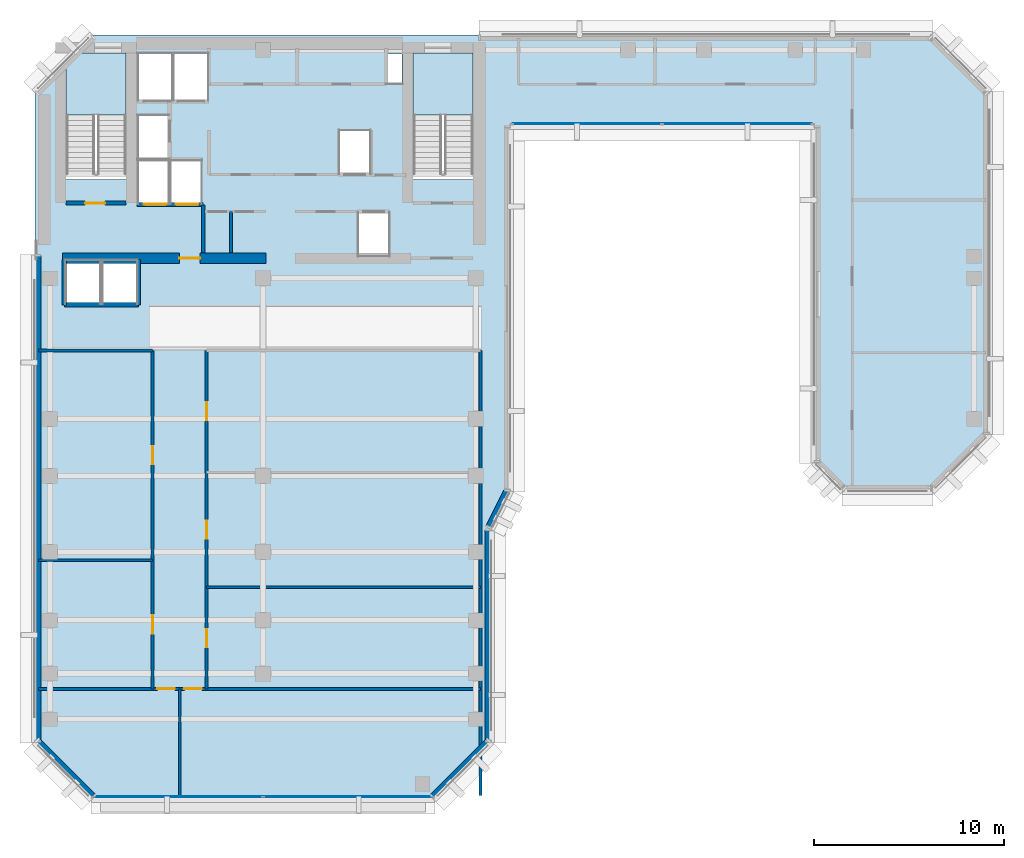
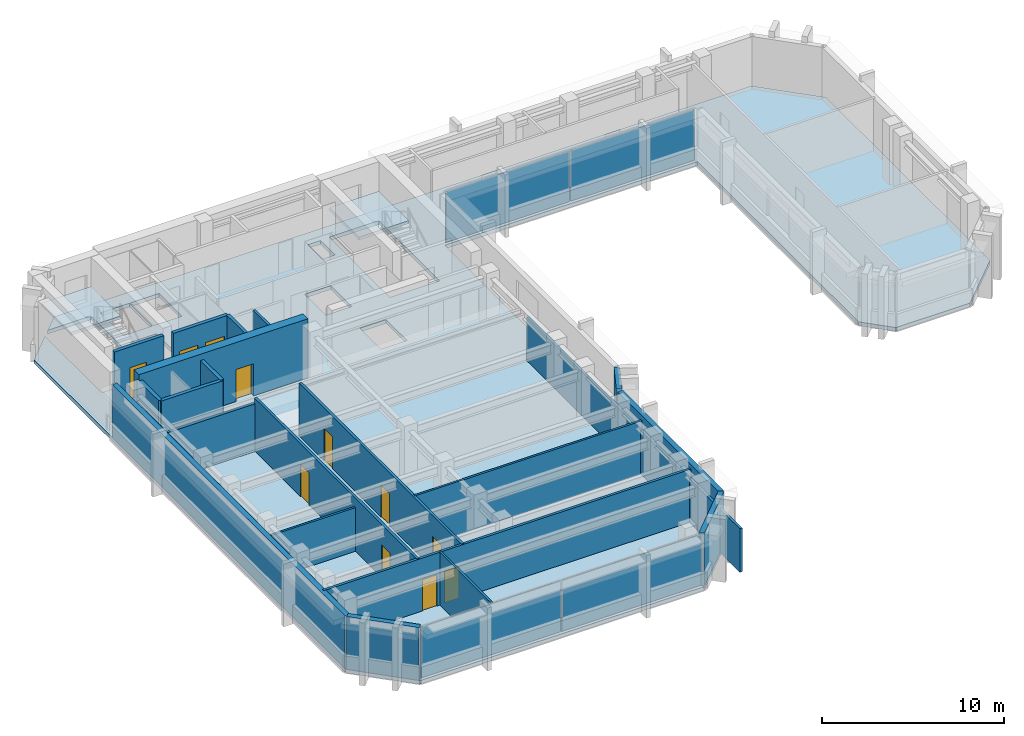
# One storey, part 5 of 11: 21 walls, 11 doors, 4 plates, 3 slabs, 11 openings, 4 elements without a shape of their own.
"""IFC4 building model written with IfcOpenShell, lengths in metres."""

from ifc_helpers import new_model, si_unit, direction, frame, frame_2d, origin, origin_2d, place, context, subcontext, project, spatial, polyline, rectangle, outline, extrude, material, layer, layer_set, type_object, element, fill, aggregate, save


model = new_model("IFC4")

# Units and contexts
model_context = context("Model", 3, precision=1e-05, world=origin(), true_north=direction((0.0, 1.0)))
body_context = subcontext(model_context, "Body", "Model", "MODEL_VIEW")
ifc_project = project(units=[si_unit("LENGTHUNIT", "METRE"), si_unit("AREAUNIT", "SQUARE_METRE"), si_unit("VOLUMEUNIT", "CUBIC_METRE"), si_unit("PLANEANGLEUNIT", "RADIAN"), si_unit("MASSUNIT", "GRAM", prefix="KILO")], contexts=[model_context])

# Site, building, storey
site_placement = place(None, origin())
site = spatial("IfcSite", under=ifc_project, at=site_placement, CompositionType="ELEMENT")
building_placement = place(site_placement, origin())
building = spatial("IfcBuilding", under=site, at=building_placement, Name="Kefirva Bronze Tower", CompositionType="ELEMENT")
storey_placement = place(building_placement, frame((0.0, 0.0, 247.5)))
storey = spatial("IfcBuildingStorey", under=building, at=storey_placement, Name="L60", CompositionType="ELEMENT", Elevation=247.5)

# Stair, slab
ifc_material_1 = material(Name="Concrete C40/50", Category="concrete")
stair_type = type_object("IfcStairType", Name="RC Dogleg Protected Stair 24R", PredefinedType="HALF_TURN_STAIR", material=ifc_material_1)
stair_1_placement = place(storey_placement, origin())
stair_1 = element("IfcStair", 1, at=stair_1_placement, inside=storey, type_object=stair_type, Name="L60 Protected Exit Stair 1", PredefinedType="HALF_TURN_STAIR")
ifc_layer_1 = layer(ifc_material_1, 0.199951171875, Name="Concrete C40/50")
ifc_layer_set_1 = layer_set([ifc_layer_1], Name="Concrete C40/50")
slab_type_1 = type_object("IfcSlabType", Name="RC Stair Landing Slab 200mm", PredefinedType="LANDING", material=ifc_layer_set_1)
slab_1_placement = place(storey_placement, frame((0.0, 0.0, 1.780029296875)))
slab_1 = element("IfcSlab", 2, at=slab_1_placement, type_object=slab_type_1, Name="ST-1 landing 1", PredefinedType="LANDING", context=body_context, shape_type="SweptSolid", body=[
    extrude(outline(polyline([(4.800048828125, 41.780029296875), (4.800048828125, 45.050048828125), (1.64990234375, 45.050048828125), (1.64990234375, 41.780029296875), (4.800048828125, 41.780029296875)])), origin(), (0.0, 0.0, 1.0), 0.199951171875),
])
aggregate(stair_1, [slab_1])

stair_2_placement = place(storey_placement, origin())
stair_2 = element("IfcStair", 3, at=stair_2_placement, inside=storey, type_object=stair_type, Name="L60 Protected Exit Stair 2", PredefinedType="HALF_TURN_STAIR")
slab_2_placement = place(storey_placement, frame((0.0, 0.0, 1.780029296875)))
slab_2 = element("IfcSlab", 4, at=slab_2_placement, type_object=slab_type_1, Name="ST-2 landing 1", PredefinedType="LANDING", context=body_context, shape_type="SweptSolid", body=[
    extrude(outline(polyline([(23.050048828125, 41.780029296875), (23.050048828125, 45.050048828125), (19.89990234375, 45.050048828125), (19.89990234375, 41.780029296875), (23.050048828125, 41.780029296875)])), origin(), (0.0, 0.0, 1.0), 0.199951171875),
])
aggregate(stair_2, [slab_2])

# Slab
ifc_layer_2 = layer(ifc_material_1, 0.25, Name="Concrete C40/50")
ifc_layer_set_2 = layer_set([ifc_layer_2], Name="Concrete C40/50")
slab_type_2 = type_object("IfcSlabType", Name="RC Tower Floor Slab 250mm", PredefinedType="FLOOR", material=ifc_layer_set_2)
slab_3_placement = place(storey_placement, frame((0.0, 0.0, -0.25)))
element("IfcSlab", 5, at=slab_3_placement, inside=storey, type_object=slab_type_2, Name="L60 Structural Floor Slab", PredefinedType="FLOOR", context=body_context, shape_type="SweptSolid", body=[
    extrude(outline(polyline([(0.0, 8.800048828125), (0.0, 43.0), (1.64990234375, 44.64990234375), (1.64990234375, 38.39990234375), (4.800048828125, 38.39990234375), (4.800048828125, 45.050048828125), (2.050048828125, 45.050048828125), (3.0, 46.0), (47.199951171875, 46.0), (50.199951171875, 43.0), (50.199951171875, 25.0), (47.199951171875, 22.0), (42.5, 22.0), (41.0, 23.5), (41.0, 41.199951171875), (25.0, 41.199951171875), (25.0, 22.0), (24.0, 20.0), (24.0, 8.800048828125), (21.0, 5.800048828125), (3.0, 5.800048828125), (0.0, 8.800048828125)]), holes=[polyline([(23.050048828125, 45.050048828125), (19.89990234375, 45.050048828125), (19.89990234375, 38.39990234375), (23.050048828125, 38.39990234375), (23.050048828125, 45.050048828125)]), polyline([(19.320068359375, 43.419921875), (19.320068359375, 45.0), (18.52001953125, 45.0), (18.52001953125, 43.419921875), (19.320068359375, 43.419921875)]), polyline([(18.64990234375, 36.64990234375), (17.0, 36.64990234375), (17.0, 34.35009765625), (18.64990234375, 34.35009765625), (18.64990234375, 36.64990234375)]), polyline([(17.64990234375, 38.679931640625), (17.64990234375, 40.97998046875), (16.0, 40.97998046875), (16.0, 38.679931640625), (17.64990234375, 38.679931640625)]), polyline([(9.1201171875, 42.550048828125), (9.1201171875, 45.050048828125), (7.300048828125, 45.050048828125), (7.300048828125, 42.550048828125), (9.1201171875, 42.550048828125)]), polyline([(8.780029296875, 37.10009765625), (8.780029296875, 39.39990234375), (7.139892578125, 39.39990234375), (7.139892578125, 37.10009765625), (8.780029296875, 37.10009765625)]), polyline([(7.239990234375, 42.550048828125), (7.239990234375, 45.050048828125), (5.419921875, 45.050048828125), (5.419921875, 42.550048828125), (7.239990234375, 42.550048828125)]), polyline([(7.06005859375, 37.10009765625), (7.06005859375, 39.39990234375), (5.419921875, 39.39990234375), (5.419921875, 37.10009765625), (7.06005859375, 37.10009765625)]), polyline([(7.06005859375, 41.780029296875), (5.419921875, 41.780029296875), (5.419921875, 39.47998046875), (7.06005859375, 39.47998046875), (7.06005859375, 41.780029296875)]), polyline([(5.39990234375, 31.85009765625), (5.39990234375, 34.14990234375), (3.550048828125, 34.14990234375), (3.550048828125, 31.85009765625), (5.39990234375, 31.85009765625)]), polyline([(3.449951171875, 34.14990234375), (1.60009765625, 34.14990234375), (1.60009765625, 31.85009765625), (3.449951171875, 31.85009765625), (3.449951171875, 34.14990234375)])]), origin(), (0.0, 0.0, 1.0), 0.25),
])

# Curtain wall, plates
ifc_material_2 = material(Name="Bronze anodised aluminium", Category="aluminium")
ifc_layer_3 = layer(ifc_material_2, 0.179931640625, Name="Bronze anodised aluminium")
ifc_layer_set_3 = layer_set([ifc_layer_3], Name="Bronze anodised aluminium")
curtain_wall_type = type_object("IfcCurtainWallType", Name="Unitised Bronze Ribbon Curtain Wall Zone 3", PredefinedType="USERDEFINED", material=ifc_layer_set_3)
curtain_wall_1_placement = place(storey_placement, origin())
curtain_wall_1 = element("IfcCurtainWall", 6, at=curtain_wall_1_placement, inside=storey, type_object=curtain_wall_type, Name="L60 Curtain Wall 1", ObjectType="UNITISED CURTAIN WALL", PredefinedType="USERDEFINED")
ifc_material_3 = material(Name="Laminated low-E double glazing", Category="glass")
ifc_layer_4 = layer(ifc_material_3, 0.031982421875, Name="Laminated low-E double glazing")
ifc_layer_set_4 = layer_set([ifc_layer_4], Name="Laminated low-E double glazing")
plate_type = type_object("IfcPlateType", Name="Solar-Control Low-E Vision Panel 32mm", PredefinedType="CURTAIN_PANEL", material=ifc_layer_set_4)
plate_1_placement = place(storey_placement, frame((7.546142578125, 5.919921875, 0.0751953125), z_axis=(0.0, 0.0, 1.0), x_axis=(1.0, 0.0, 0.0)))
plate_1 = element("IfcPlate", 7, at=plate_1_placement, type_object=plate_type, Name="CW-03 panel 1.1", PredefinedType="CURTAIN_PANEL", context=body_context, shape_type="SweptSolid", body=[
    extrude(rectangle(XDim=8.83251953125, YDim=0.031982421875, at=origin_2d()), origin(), (0.0, 0.0, 1.0), 3.389892578125),
])
plate_2_placement = place(storey_placement, frame((16.453857421875, 5.919921875, 0.0751953125), z_axis=(0.0, 0.0, 1.0), x_axis=(1.0, 0.0, 0.0)))
plate_2 = element("IfcPlate", 8, at=plate_2_placement, type_object=plate_type, Name="CW-03 panel 2.1", PredefinedType="CURTAIN_PANEL", context=body_context, shape_type="SweptSolid", body=[
    extrude(rectangle(XDim=8.83251953125, YDim=0.031982421875, at=origin_2d()), origin(), (0.0, 0.0, 1.0), 3.389892578125),
])
aggregate(curtain_wall_1, [plate_1, plate_2])

curtain_wall_2_placement = place(storey_placement, origin())
curtain_wall_2 = element("IfcCurtainWall", 9, at=curtain_wall_2_placement, inside=storey, type_object=curtain_wall_type, Name="L60 Curtain Wall 2", ObjectType="UNITISED CURTAIN WALL", PredefinedType="USERDEFINED")
plate_3_placement = place(storey_placement, frame((29.046142578125, 41.320068359375, 0.0751953125), z_axis=(0.0, 0.0, 1.0), x_axis=(1.0, 0.0, 0.0)))
plate_3 = element("IfcPlate", 10, at=plate_3_placement, type_object=plate_type, Name="CW-03 panel 1.1", PredefinedType="CURTAIN_PANEL", context=body_context, shape_type="SweptSolid", body=[
    extrude(rectangle(XDim=7.83251953125, YDim=0.031982421875, at=origin_2d()), origin(), (0.0, 0.0, 1.0), 3.389892578125),
])
plate_4_placement = place(storey_placement, frame((36.953857421875, 41.320068359375, 0.0751953125), z_axis=(0.0, 0.0, 1.0), x_axis=(1.0, 0.0, 0.0)))
plate_4 = element("IfcPlate", 11, at=plate_4_placement, type_object=plate_type, Name="CW-03 panel 2.1", PredefinedType="CURTAIN_PANEL", context=body_context, shape_type="SweptSolid", body=[
    extrude(rectangle(XDim=7.83251953125, YDim=0.031982421875, at=origin_2d()), origin(), (0.0, 0.0, 1.0), 3.389892578125),
])
aggregate(curtain_wall_2, [plate_3, plate_4])

# Walls
ifc_material_4 = material(Name="Gypsum acoustic partition")
ifc_layer_5 = layer(ifc_material_4, 0.1298828125, Name="Gypsum acoustic partition")
ifc_layer_set_5 = layer_set([ifc_layer_5], Name="Gypsum acoustic partition")
wall_type_1 = type_object("IfcWallType", Name="Acoustic Office Partition 130mm", PredefinedType="PARTITIONING", material=ifc_layer_set_5)
wall_1_placement = place(storey_placement, frame((7.6201171875, 5.989990234375, 0.0), z_axis=(0.0, 0.0, 1.0), x_axis=(0.0, 1.0, 0.0)))
element("IfcWall", 12, at=wall_1_placement, inside=storey, type_object=wall_type_1, Name="L60 Partition W-L60-CAPDV", PredefinedType="PARTITIONING", context=body_context, shape_type="SweptSolid", body=[
    extrude(rectangle(XDim=5.610107421875, YDim=0.1298828125, at=frame_2d((2.80517578125, 0.0))), origin(), (0.0, 0.0, 1.0), 3.5400390625),
])
wall_2_placement = place(storey_placement, frame((0.18994140625, 18.364013671875, 0.0), z_axis=(0.0, 0.0, 1.0), x_axis=(1.0, 0.0, 0.0)))
element("IfcWall", 13, at=wall_2_placement, inside=storey, type_object=wall_type_1, Name="L60 Partition W-L60-SWD1", PredefinedType="PARTITIONING", context=body_context, shape_type="SweptSolid", body=[
    extrude(rectangle(XDim=6.010009765625, YDim=0.1298828125, at=frame_2d((3.0048828125, 0.0))), origin(), (0.0, 0.0, 1.0), 2.925048828125),
])
wall_3_placement = place(storey_placement, frame((9.0400390625, 16.93994140625, 0.0), z_axis=(0.0, 0.0, 1.0), x_axis=(1.0, 0.0, 0.0)))
element("IfcWall", 14, at=wall_3_placement, inside=storey, type_object=wall_type_1, Name="L60 Partition W-L60-SED1", PredefinedType="PARTITIONING", context=body_context, shape_type="SweptSolid", body=[
    extrude(rectangle(XDim=14.409912109375, YDim=0.1298828125, at=frame_2d((7.205078125, 0.0))), origin(), (0.0, 0.0, 1.0), 3.5400390625),
])

# Wall, opening, door
ifc_material_5 = material(Name="Gypsum fireboard shaftwall")
ifc_layer_6 = layer(ifc_material_5, 0.219970703125, Name="Gypsum fireboard shaftwall")
ifc_layer_set_6 = layer_set([ifc_layer_6], Name="Gypsum fireboard shaftwall")
wall_type_2 = type_object("IfcWallType", Name="Fire-Rated Shaft Enclosure Wall 220mm", PredefinedType="PARTITIONING", material=ifc_layer_set_6)
wall_4_placement = place(storey_placement, frame((1.64990234375, 37.14990234375, 0.0), z_axis=(0.0, 0.0, 1.0), x_axis=(1.0, 0.0, 0.0)))
wall_4 = element("IfcWall", 15, at=wall_4_placement, inside=storey, type_object=wall_type_2, Name="L60 Partition W-L60-ST1S", PredefinedType="PARTITIONING", context=body_context, shape_type="SweptSolid", body=[
    extrude(rectangle(XDim=3.150146484375, YDim=0.219970703125, at=frame_2d((1.5751953125, 0.0))), origin(), (0.0, 0.0, 1.0), 3.5400390625),
])
opening_1_placement = place(wall_4_placement, frame((2.050048828125, 0.0, 0.0), z_axis=(0.0, 0.0, 1.0), x_axis=(-1.0, 0.0, 0.0)))
opening_1 = element("IfcOpeningElement", 16, at=opening_1_placement, cuts=wall_4, Name="Opening L60-D001", PredefinedType="OPENING", context=body_context, shape_type="SweptSolid", body=[
    extrude(rectangle(XDim=1.050048828125, YDim=2.14990234375, at=frame_2d((0.52490234375, 1.074951171875))), frame((0.0, 0.1201171875, 0.0), z_axis=(0.0, -1.0, 0.0), x_axis=(1.0, 0.0, 0.0)), (0.0, 0.0, 1.0), 0.239990234375),
])
ifc_material_6 = material(Name="Painted galvanized steel", Category="steel")
door_type_1 = type_object("IfcDoorType", Name="Fire Stair Enclosure Door 1050x2150 FD90S", OperationType="NOTDEFINED", PredefinedType="DOOR", material=ifc_material_6)
door_1_placement = place(opening_1_placement, origin())
door_1 = element("IfcDoor", 17, at=door_1_placement, inside=storey, type_object=door_type_1, Name="Door L60-D001", OperationType="SINGLE_SWING_RIGHT", OverallHeight=2.14990234375, OverallWidth=1.050048828125, PredefinedType="DOOR", context=body_context, shape_type="SweptSolid", body=[
    extrude(rectangle(XDim=1.050048828125, YDim=2.14990234375, at=frame_2d((0.52490234375, 1.074951171875))), frame((0.0, 0.02490234375, 0.0), z_axis=(0.0, -1.0, 0.0), x_axis=(1.0, 0.0, 0.0)), (0.0, 0.0, 1.0), 0.050048828125),
])
fill(opening_1, door_1)

# Wall, openings, doors
wall_5_placement = place(storey_placement, frame((5.3798828125, 37.080078125, 0.0), z_axis=(0.0, 0.0, 1.0), x_axis=(1.0, 0.0, 0.0)))
wall_5 = element("IfcWall", 18, at=wall_5_placement, inside=storey, type_object=wall_type_2, Name="L60 Partition W-L60-FFS", PredefinedType="PARTITIONING", context=body_context, shape_type="SweptSolid", body=[
    extrude(rectangle(XDim=3.460205078125, YDim=0.219970703125, at=frame_2d((1.72998046875, 0.0))), origin(), (0.0, 0.0, 1.0), 3.5400390625),
])
opening_2_placement = place(wall_5_placement, frame((1.550048828125, 0.0, 0.0), z_axis=(0.0, 0.0, 1.0), x_axis=(-1.0, 0.0, 0.0)))
opening_2 = element("IfcOpeningElement", 19, at=opening_2_placement, cuts=wall_5, Name="Opening L60-LD-FF1", PredefinedType="OPENING", context=body_context, shape_type="SweptSolid", body=[
    extrude(rectangle(XDim=1.199951171875, YDim=2.199951171875, at=frame_2d((0.60009765625, 1.10009765625))), frame((0.0, 0.1201171875, 0.0), z_axis=(0.0, -1.0, 0.0), x_axis=(1.0, 0.0, 0.0)), (0.0, 0.0, 1.0), 0.239990234375),
])
opening_3_placement = place(wall_5_placement, frame((3.219970703125, 0.0, 0.0), z_axis=(0.0, 0.0, 1.0), x_axis=(-1.0, 0.0, 0.0)))
opening_3 = element("IfcOpeningElement", 20, at=opening_3_placement, cuts=wall_5, Name="Opening L60-LD-FF2", PredefinedType="OPENING", context=body_context, shape_type="SweptSolid", body=[
    extrude(rectangle(XDim=1.199951171875, YDim=2.199951171875, at=frame_2d((0.60009765625, 1.10009765625))), frame((0.0, 0.1201171875, 0.0), z_axis=(0.0, -1.0, 0.0), x_axis=(1.0, 0.0, 0.0)), (0.0, 0.0, 1.0), 0.239990234375),
])
ifc_material_7 = material(Name="Stainless steel 316", Category="steel")
door_type_2 = type_object("IfcDoorType", Name="Firefighting Lift Sliding Door 1200x2200", OperationType="SLIDING_TO_RIGHT", PredefinedType="DOOR", material=ifc_material_7)
door_2_placement = place(opening_2_placement, origin())
door_2 = element("IfcDoor", 21, at=door_2_placement, inside=storey, type_object=door_type_2, Name="Door L60-LD-FF1", OperationType="SLIDING_TO_RIGHT", OverallHeight=2.199951171875, OverallWidth=1.199951171875, PredefinedType="DOOR", context=body_context, shape_type="SweptSolid", body=[
    extrude(rectangle(XDim=1.199951171875, YDim=2.199951171875, at=frame_2d((0.60009765625, 1.10009765625))), frame((0.0, 0.02490234375, 0.0), z_axis=(0.0, -1.0, 0.0), x_axis=(1.0, 0.0, 0.0)), (0.0, 0.0, 1.0), 0.050048828125),
])
fill(opening_2, door_2)
door_3_placement = place(opening_3_placement, origin())
door_3 = element("IfcDoor", 22, at=door_3_placement, inside=storey, type_object=door_type_2, Name="Door L60-LD-FF2", OperationType="SLIDING_TO_RIGHT", OverallHeight=2.199951171875, OverallWidth=1.199951171875, PredefinedType="DOOR", context=body_context, shape_type="SweptSolid", body=[
    extrude(rectangle(XDim=1.199951171875, YDim=2.199951171875, at=frame_2d((0.60009765625, 1.10009765625))), frame((0.0, 0.02490234375, 0.0), z_axis=(0.0, -1.0, 0.0), x_axis=(1.0, 0.0, 0.0)), (0.0, 0.0, 1.0), 0.050048828125),
])
fill(opening_3, door_3)

# Walls
wall_6_placement = place(storey_placement, frame((1.550048828125, 31.800048828125, 0.0), z_axis=(0.0, 0.0, 1.0), x_axis=(1.0, 0.0, 0.0)))
element("IfcWall", 23, at=wall_6_placement, inside=storey, type_object=wall_type_2, Name="L60 Partition W-L60-OBS", PredefinedType="PARTITIONING", context=body_context, shape_type="SweptSolid", body=[
    extrude(rectangle(XDim=3.89990234375, YDim=0.219970703125, at=frame_2d((1.949951171875, 0.0))), origin(), (0.0, 0.0, 1.0), 3.5400390625),
])
for number, where, z_axis, x_axis, name in (
    (24, (1.550048828125, 31.800048828125, 0.0), (0.0, 0.0, 1.0), (0.0, 1.0, 0.0), "L60 Partition W-L60-OBW"),
    (25, (5.449951171875, 31.800048828125, 0.0), (0.0, 0.0, 1.0), (0.0, 1.0, 0.0), "L60 Partition W-L60-OBE"),
):
    element("IfcWall", number, at=place(storey_placement, frame(where, z_axis=z_axis, x_axis=x_axis)), inside=storey, type_object=wall_type_2, Name=name, PredefinedType="PARTITIONING", context=body_context, shape_type="SweptSolid", body=[
        extrude(rectangle(XDim=2.3798828125, YDim=0.219970703125, at=frame_2d((1.18994140625, 0.0))), origin(), (0.0, 0.0, 1.0), 3.5400390625),
    ])
ifc_material_8 = material(Name="Gypsum fireboard barrier")
ifc_layer_7 = layer(ifc_material_8, 0.199951171875, Name="Gypsum fireboard barrier")
ifc_layer_set_7 = layer_set([ifc_layer_7], Name="Gypsum fireboard barrier")
wall_type_3 = type_object("IfcWallType", Name="Firefighting Lobby Barrier Wall 200mm", PredefinedType="PARTITIONING", material=ifc_layer_set_7)
wall_7_placement = place(storey_placement, frame((8.860107421875, 34.550048828125, 0.0), z_axis=(0.0, 0.0, 1.0), x_axis=(0.0, 1.0, 0.0)))
element("IfcWall", 26, at=wall_7_placement, inside=storey, type_object=wall_type_3, Name="L60 Partition W-L60-FFLE", PredefinedType="PARTITIONING", context=body_context, shape_type="SweptSolid", body=[
    extrude(rectangle(XDim=2.5, YDim=0.199951171875, at=frame_2d((1.25, 0.0))), origin(), (0.0, 0.0, 1.0), 3.5400390625),
])
ifc_material_9 = material(Name="Precast concrete C40/50", Category="concrete")
ifc_layer_8 = layer(ifc_material_9, 0.320068359375, Name="Precast concrete C40/50")
ifc_layer_set_8 = layer_set([ifc_layer_8], Name="Precast concrete C40/50")
wall_type_4 = type_object("IfcWallType", Name="Precast Insulated Exterior Wall 320mm", PredefinedType="SOLIDWALL", material=ifc_layer_set_8)
wall_8_placement = place(storey_placement, frame((20.92578125, 5.951904296875, 0.0), z_axis=(0.0, 0.0, 1.0), x_axis=(0.707077242712, 0.707136318428, 0.0)))
element("IfcWall", 27, at=wall_8_placement, inside=storey, type_object=wall_type_4, Name="L60 Exterior Facade Wall 1", PredefinedType="SOLIDWALL", context=body_context, shape_type="SweptSolid", body=[
    extrude(rectangle(XDim=4.132568359375, YDim=0.320068359375, at=frame_2d((2.06640625, 0.0))), origin(), (0.0, 0.0, 1.0), 3.5400390625),
])
wall_9_placement = place(storey_placement, frame((23.840087890625, 8.85498046875, 0.0), z_axis=(0.0, 0.0, 1.0), x_axis=(0.0, 1.0, 0.0)))
element("IfcWall", 28, at=wall_9_placement, inside=storey, type_object=wall_type_4, Name="L60 Exterior Facade Wall 2", PredefinedType="SOLIDWALL", context=body_context, shape_type="SweptSolid", body=[
    extrude(rectangle(XDim=11.090087890625, YDim=0.320068359375, at=frame_2d((5.544921875, 0.0))), origin(), (0.0, 0.0, 1.0), 3.5400390625),
])
wall_10_placement = place(storey_placement, frame((23.881591796875, 20.12060546875, 0.0), z_axis=(0.0, 0.0, 1.0), x_axis=(0.447121734542, 0.894473115583, 0.0)))
element("IfcWall", 29, at=wall_10_placement, inside=storey, type_object=wall_type_4, Name="L60 Exterior Facade Wall 3", PredefinedType="SOLIDWALL", context=body_context, shape_type="SweptSolid", body=[
    extrude(rectangle(XDim=2.126220703125, YDim=0.320068359375, at=frame_2d((1.06298828125, 0.0))), origin(), (0.0, 0.0, 1.0), 3.5400390625),
])
wall_11_placement = place(storey_placement, frame((0.159912109375, 34.39501953125, 0.0), z_axis=(0.0, 0.0, 1.0), x_axis=(0.0, -1.0, 0.0)))
element("IfcWall", 30, at=wall_11_placement, inside=storey, type_object=wall_type_4, Name="L60 Exterior Facade Wall 13", PredefinedType="SOLIDWALL", context=body_context, shape_type="SweptSolid", body=[
    extrude(rectangle(XDim=25.5400390625, YDim=0.320068359375, at=frame_2d((12.77001953125, 0.0))), origin(), (0.0, 0.0, 1.0), 3.5400390625),
])
wall_12_placement = place(storey_placement, frame((0.152099609375, 8.874267578125, 0.0), z_axis=(0.0, 0.0, 1.0), x_axis=(0.707077242712, -0.707136318428, 0.0)))
element("IfcWall", 31, at=wall_12_placement, inside=storey, type_object=wall_type_4, Name="L60 Exterior Facade Wall 14", PredefinedType="SOLIDWALL", context=body_context, shape_type="SweptSolid", body=[
    extrude(rectangle(XDim=4.132568359375, YDim=0.320068359375, at=frame_2d((2.06640625, 0.0))), origin(), (0.0, 0.0, 1.0), 3.5400390625),
])
ifc_layer_9 = layer(ifc_material_4, 0.159912109375, Name="Gypsum acoustic partition")
ifc_layer_set_9 = layer_set([ifc_layer_9], Name="Gypsum acoustic partition")
wall_type_5 = type_object("IfcWallType", Name="Protected Corridor Partition 160mm", PredefinedType="PARTITIONING", material=ifc_layer_set_9)
wall_13_placement = place(storey_placement, frame((10.320068359375, 34.550048828125, 0.0), z_axis=(0.0, 0.0, 1.0), x_axis=(0.0, 1.0, 0.0)))
element("IfcWall", 32, at=wall_13_placement, inside=storey, type_object=wall_type_5, Name="L60 Partition W-L60-RECLP1D", PredefinedType="PARTITIONING", context=body_context, shape_type="SweptSolid", body=[
    extrude(rectangle(XDim=2.14990234375, YDim=0.159912109375, at=frame_2d((1.074951171875, 0.0))), origin(), (0.0, 0.0, 1.0), 3.5400390625),
])

# Wall, openings, doors
wall_14_placement = place(storey_placement, frame((6.199951171875, 11.60009765625, 0.0), z_axis=(0.0, 0.0, 1.0), x_axis=(0.0, 1.0, 0.0)))
wall_14 = element("IfcWall", 33, at=wall_14_placement, inside=storey, type_object=wall_type_5, Name="L60 Partition W-L60-SWCORW", PredefinedType="PARTITIONING", context=body_context, shape_type="SweptSolid", body=[
    extrude(rectangle(XDim=17.7998046875, YDim=0.159912109375, at=frame_2d((8.89990234375, 0.0))), origin(), (0.0, 0.0, 1.0), 3.5400390625),
])
opening_4_placement = place(wall_14_placement, frame((3.85693359375, 0.0, 0.0), z_axis=(0.0, 0.0, 1.0), x_axis=(-1.0, 0.0, 0.0)))
opening_4 = element("IfcOpeningElement", 34, at=opening_4_placement, cuts=wall_14, Name="Opening L60-D-SW1", PredefinedType="OPENING", context=body_context, shape_type="SweptSolid", body=[
    extrude(rectangle(XDim=0.949951171875, YDim=2.14990234375, at=frame_2d((0.47509765625, 1.074951171875))), frame((0.0, 0.08984375, 0.0), z_axis=(0.0, -1.0, 0.0), x_axis=(1.0, 0.0, 0.0)), (0.0, 0.0, 1.0), 0.179931640625),
])
opening_5_placement = place(wall_14_placement, frame((12.7568359375, 0.0, 0.0), z_axis=(0.0, 0.0, 1.0), x_axis=(-1.0, 0.0, 0.0)))
opening_5 = element("IfcOpeningElement", 35, at=opening_5_placement, cuts=wall_14, Name="Opening L60-D-SW2", PredefinedType="OPENING", context=body_context, shape_type="SweptSolid", body=[
    extrude(rectangle(XDim=0.949951171875, YDim=2.14990234375, at=frame_2d((0.47509765625, 1.074951171875))), frame((0.0, 0.08984375, 0.0), z_axis=(0.0, -1.0, 0.0), x_axis=(1.0, 0.0, 0.0)), (0.0, 0.0, 1.0), 0.179931640625),
])
ifc_material_10 = material(Name="Acoustic hardwood oak", Category="wood")
door_type_3 = type_object("IfcDoorType", Name="Office & Meeting Room Door 950x2150", OperationType="NOTDEFINED", PredefinedType="DOOR", material=ifc_material_10)
door_4_placement = place(opening_4_placement, origin())
door_4 = element("IfcDoor", 36, at=door_4_placement, inside=storey, type_object=door_type_3, Name="Door L60-D-SW1", OperationType="SINGLE_SWING_RIGHT", OverallHeight=2.14990234375, OverallWidth=0.949951171875, PredefinedType="DOOR", context=body_context, shape_type="SweptSolid", body=[
    extrude(rectangle(XDim=0.949951171875, YDim=2.14990234375, at=frame_2d((0.47509765625, 1.074951171875))), frame((0.0, 0.02490234375, 0.0), z_axis=(0.0, -1.0, 0.0), x_axis=(1.0, 0.0, 0.0)), (0.0, 0.0, 1.0), 0.050048828125),
])
fill(opening_4, door_4)
door_5_placement = place(opening_5_placement, origin())
door_5 = element("IfcDoor", 37, at=door_5_placement, inside=storey, type_object=door_type_3, Name="Door L60-D-SW2", OperationType="SINGLE_SWING_LEFT", OverallHeight=2.14990234375, OverallWidth=0.949951171875, PredefinedType="DOOR", context=body_context, shape_type="SweptSolid", body=[
    extrude(rectangle(XDim=0.949951171875, YDim=2.14990234375, at=frame_2d((0.47509765625, 1.074951171875))), frame((0.0, 0.02490234375, 0.0), z_axis=(0.0, -1.0, 0.0), x_axis=(1.0, 0.0, 0.0)), (0.0, 0.0, 1.0), 0.050048828125),
])
fill(opening_5, door_5)

wall_15_placement = place(storey_placement, frame((9.0400390625, 11.60009765625, 0.0), z_axis=(0.0, 0.0, 1.0), x_axis=(0.0, 1.0, 0.0)))
wall_15 = element("IfcWall", 38, at=wall_15_placement, inside=storey, type_object=wall_type_5, Name="L60 Partition W-L60-SECORE", PredefinedType="PARTITIONING", context=body_context, shape_type="SweptSolid", body=[
    extrude(rectangle(XDim=17.7998046875, YDim=0.159912109375, at=frame_2d((8.89990234375, 0.0))), origin(), (0.0, 0.0, 1.0), 3.5400390625),
])
opening_6_placement = place(wall_15_placement, frame((2.195068359375, 0.0, 0.0)))
opening_6 = element("IfcOpeningElement", 39, at=opening_6_placement, cuts=wall_15, Name="Opening L60-D-SE1", PredefinedType="OPENING", context=body_context, shape_type="SweptSolid", body=[
    extrude(rectangle(XDim=0.949951171875, YDim=2.14990234375, at=frame_2d((0.47509765625, 1.074951171875))), frame((0.0, 0.08984375, 0.0), z_axis=(0.0, -1.0, 0.0), x_axis=(1.0, 0.0, 0.0)), (0.0, 0.0, 1.0), 0.179931640625),
])
opening_7_placement = place(wall_15_placement, frame((7.89111328125, 0.0, 0.0)))
opening_7 = element("IfcOpeningElement", 40, at=opening_7_placement, cuts=wall_15, Name="Opening L60-D-SE2", PredefinedType="OPENING", context=body_context, shape_type="SweptSolid", body=[
    extrude(rectangle(XDim=0.949951171875, YDim=2.14990234375, at=frame_2d((0.47509765625, 1.074951171875))), frame((0.0, 0.08984375, 0.0), z_axis=(0.0, -1.0, 0.0), x_axis=(1.0, 0.0, 0.0)), (0.0, 0.0, 1.0), 0.179931640625),
])
opening_8_placement = place(wall_15_placement, frame((14.12109375, 0.0, 0.0)))
opening_8 = element("IfcOpeningElement", 41, at=opening_8_placement, cuts=wall_15, Name="Opening L60-D-SE3", PredefinedType="OPENING", context=body_context, shape_type="SweptSolid", body=[
    extrude(rectangle(XDim=0.949951171875, YDim=2.14990234375, at=frame_2d((0.47509765625, 1.074951171875))), frame((0.0, 0.08984375, 0.0), z_axis=(0.0, -1.0, 0.0), x_axis=(1.0, 0.0, 0.0)), (0.0, 0.0, 1.0), 0.179931640625),
])
door_6_placement = place(opening_6_placement, origin())
door_6 = element("IfcDoor", 42, at=door_6_placement, inside=storey, type_object=door_type_3, Name="Door L60-D-SE1", OperationType="SINGLE_SWING_RIGHT", OverallHeight=2.14990234375, OverallWidth=0.949951171875, PredefinedType="DOOR", context=body_context, shape_type="SweptSolid", body=[
    extrude(rectangle(XDim=0.949951171875, YDim=2.14990234375, at=frame_2d((0.47509765625, 1.074951171875))), frame((0.0, 0.02490234375, 0.0), z_axis=(0.0, -1.0, 0.0), x_axis=(1.0, 0.0, 0.0)), (0.0, 0.0, 1.0), 0.050048828125),
])
fill(opening_6, door_6)
door_7_placement = place(opening_7_placement, origin())
door_7 = element("IfcDoor", 43, at=door_7_placement, inside=storey, type_object=door_type_3, Name="Door L60-D-SE2", OperationType="SINGLE_SWING_LEFT", OverallHeight=2.14990234375, OverallWidth=0.949951171875, PredefinedType="DOOR", context=body_context, shape_type="SweptSolid", body=[
    extrude(rectangle(XDim=0.949951171875, YDim=2.14990234375, at=frame_2d((0.47509765625, 1.074951171875))), frame((0.0, 0.02490234375, 0.0), z_axis=(0.0, -1.0, 0.0), x_axis=(1.0, 0.0, 0.0)), (0.0, 0.0, 1.0), 0.050048828125),
])
fill(opening_7, door_7)
door_8_placement = place(opening_8_placement, origin())
door_8 = element("IfcDoor", 44, at=door_8_placement, inside=storey, type_object=door_type_3, Name="Door L60-D-SE3", OperationType="SINGLE_SWING_RIGHT", OverallHeight=2.14990234375, OverallWidth=0.949951171875, PredefinedType="DOOR", context=body_context, shape_type="SweptSolid", body=[
    extrude(rectangle(XDim=0.949951171875, YDim=2.14990234375, at=frame_2d((0.47509765625, 1.074951171875))), frame((0.0, 0.02490234375, 0.0), z_axis=(0.0, -1.0, 0.0), x_axis=(1.0, 0.0, 0.0)), (0.0, 0.0, 1.0), 0.050048828125),
])
fill(opening_8, door_8)

wall_16_placement = place(storey_placement, frame((0.18994140625, 11.60009765625, 0.0), z_axis=(0.0, 0.0, 1.0), x_axis=(1.0, 0.0, 0.0)))
wall_16 = element("IfcWall", 45, at=wall_16_placement, inside=storey, type_object=wall_type_5, Name="L60 Partition W-L60-SBEND", PredefinedType="PARTITIONING", context=body_context, shape_type="SweptSolid", body=[
    extrude(rectangle(XDim=23.260009765625, YDim=0.159912109375, at=frame_2d((11.6298828125, 0.0))), origin(), (0.0, 0.0, 1.0), 3.5400390625),
])
opening_9_placement = place(wall_16_placement, frame((6.260009765625, 0.0, 0.0)))
opening_9 = element("IfcOpeningElement", 46, at=opening_9_placement, cuts=wall_16, Name="Opening L60-D-SEND1", PredefinedType="OPENING", context=body_context, shape_type="SweptSolid", body=[
    extrude(rectangle(XDim=0.919921875, YDim=2.10009765625, at=frame_2d((0.4599609375, 1.050048828125))), frame((0.0, 0.08984375, 0.0), z_axis=(0.0, -1.0, 0.0), x_axis=(1.0, 0.0, 0.0)), (0.0, 0.0, 1.0), 0.179931640625),
])
opening_10_placement = place(wall_16_placement, frame((7.679931640625, 0.0, 0.0)))
opening_10 = element("IfcOpeningElement", 47, at=opening_10_placement, cuts=wall_16, Name="Opening L60-D-SEND2", PredefinedType="OPENING", context=body_context, shape_type="SweptSolid", body=[
    extrude(rectangle(XDim=0.919921875, YDim=2.10009765625, at=frame_2d((0.4599609375, 1.050048828125))), frame((0.0, 0.08984375, 0.0), z_axis=(0.0, -1.0, 0.0), x_axis=(1.0, 0.0, 0.0)), (0.0, 0.0, 1.0), 0.179931640625),
])
ifc_material_11 = material(Name="Moisture-resistant timber", Category="wood")
door_type_4 = type_object("IfcDoorType", Name="Accessible Sanitary & WC Door 920x2100", OperationType="NOTDEFINED", PredefinedType="DOOR", material=ifc_material_11)
door_9_placement = place(opening_9_placement, origin())
door_9 = element("IfcDoor", 48, at=door_9_placement, inside=storey, type_object=door_type_4, Name="Door L60-D-SEND1", OperationType="SINGLE_SWING_RIGHT", OverallHeight=2.10009765625, OverallWidth=0.919921875, PredefinedType="DOOR", context=body_context, shape_type="SweptSolid", body=[
    extrude(rectangle(XDim=0.919921875, YDim=2.10009765625, at=frame_2d((0.4599609375, 1.050048828125))), frame((0.0, 0.02490234375, 0.0), z_axis=(0.0, -1.0, 0.0), x_axis=(1.0, 0.0, 0.0)), (0.0, 0.0, 1.0), 0.050048828125),
])
fill(opening_9, door_9)
door_10_placement = place(opening_10_placement, origin())
door_10 = element("IfcDoor", 49, at=door_10_placement, inside=storey, type_object=door_type_4, Name="Door L60-D-SEND2", OperationType="SINGLE_SWING_LEFT", OverallHeight=2.10009765625, OverallWidth=0.919921875, PredefinedType="DOOR", context=body_context, shape_type="SweptSolid", body=[
    extrude(rectangle(XDim=0.919921875, YDim=2.10009765625, at=frame_2d((0.4599609375, 1.050048828125))), frame((0.0, 0.02490234375, 0.0), z_axis=(0.0, -1.0, 0.0), x_axis=(1.0, 0.0, 0.0)), (0.0, 0.0, 1.0), 0.050048828125),
])
fill(opening_10, door_10)

# Walls
wall_17_placement = place(storey_placement, frame((0.18994140625, 29.39990234375, 0.0), z_axis=(0.0, 0.0, 1.0), x_axis=(1.0, 0.0, 0.0)))
element("IfcWall", 50, at=wall_17_placement, inside=storey, type_object=wall_type_5, Name="L60 Partition W-L60-NWT", PredefinedType="PARTITIONING", context=body_context, shape_type="SweptSolid", body=[
    extrude(rectangle(XDim=6.010009765625, YDim=0.159912109375, at=frame_2d((3.0048828125, 0.0))), origin(), (0.0, 0.0, 1.0), 3.195068359375),
])
wall_18_placement = place(storey_placement, frame((23.449951171875, 5.989990234375, 0.0), z_axis=(0.0, 0.0, 1.0), x_axis=(0.0, 1.0, 0.0)))
element("IfcWall", 51, at=wall_18_placement, inside=storey, type_object=wall_type_5, Name="L60 Partition W-L60-SWEAST", PredefinedType="PARTITIONING", context=body_context, shape_type="SweptSolid", body=[
    extrude(rectangle(XDim=23.409912109375, YDim=0.159912109375, at=frame_2d((11.705078125, 0.0))), origin(), (0.0, 0.0, 1.0), 2.925048828125),
])

# Wall, opening, door
ifc_material_12 = material(Name="Concrete C50/60", Category="concrete")
ifc_layer_10 = layer(ifc_material_12, 0.64990234375, Name="Concrete C50/60")
ifc_layer_set_10 = layer_set([ifc_layer_10], Name="Concrete C50/60")
wall_type_6 = type_object("IfcWallType", Name="RC Rear Core Interior Wall 650mm", PredefinedType="SHEAR", material=ifc_layer_set_10)
wall_19_placement = place(storey_placement, frame((1.449951171875, 34.25, 0.0), z_axis=(0.0, 0.0, 1.0), x_axis=(1.0, 0.0, 0.0)))
wall_19 = element("IfcWall", 52, at=wall_19_placement, inside=storey, type_object=wall_type_6, Name="L60 Rear Core South-West Shear Wall", PredefinedType="SHEAR", context=body_context, shape_type="SweptSolid", body=[
    extrude(rectangle(XDim=10.7099609375, YDim=0.550048828125, at=frame_2d((5.35498046875, 0.0))), origin(), (0.0, 0.0, 1.0), 3.9599609375),
])
opening_11_placement = place(wall_19_placement, frame((7.25, 0.0, 0.0), z_axis=(0.0, 0.0, 1.0), x_axis=(-1.0, 0.0, 0.0)))
opening_11 = element("IfcOpeningElement", 53, at=opening_11_placement, cuts=wall_19, Name="Opening L60-D002", PredefinedType="OPENING", context=body_context, shape_type="SweptSolid", body=[
    extrude(rectangle(XDim=1.10009765625, YDim=2.14990234375, at=frame_2d((0.550048828125, 1.074951171875))), frame((0.0, 0.28515625, 0.0), z_axis=(0.0, -1.0, 0.0), x_axis=(1.0, 0.0, 0.0)), (0.0, 0.0, 1.0), 0.570068359375),
])
door_type_5 = type_object("IfcDoorType", Name="Firefighting Lobby Smoke Door 1100x2150 FD60S", OperationType="NOTDEFINED", PredefinedType="DOOR", material=ifc_material_6)
door_11_placement = place(opening_11_placement, origin())
door_11 = element("IfcDoor", 54, at=door_11_placement, inside=storey, type_object=door_type_5, Name="Door L60-D002", OperationType="SINGLE_SWING_LEFT", OverallHeight=2.14990234375, OverallWidth=1.10009765625, PredefinedType="DOOR", context=body_context, shape_type="SweptSolid", body=[
    extrude(rectangle(XDim=1.10009765625, YDim=2.14990234375, at=frame_2d((0.550048828125, 1.074951171875))), frame((0.0, 0.02490234375, 0.0), z_axis=(0.0, -1.0, 0.0), x_axis=(1.0, 0.0, 0.0)), (0.0, 0.0, 1.0), 0.050048828125),
])
fill(opening_11, door_11)

save(model, "model.ifc")
